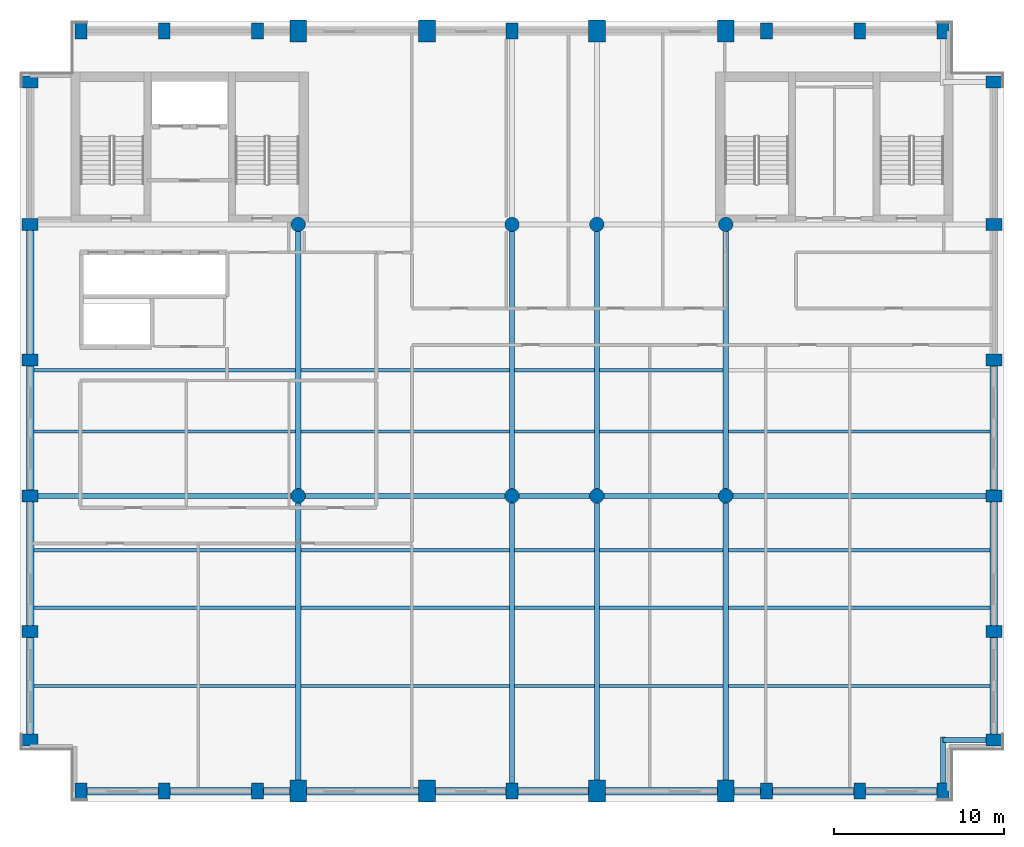
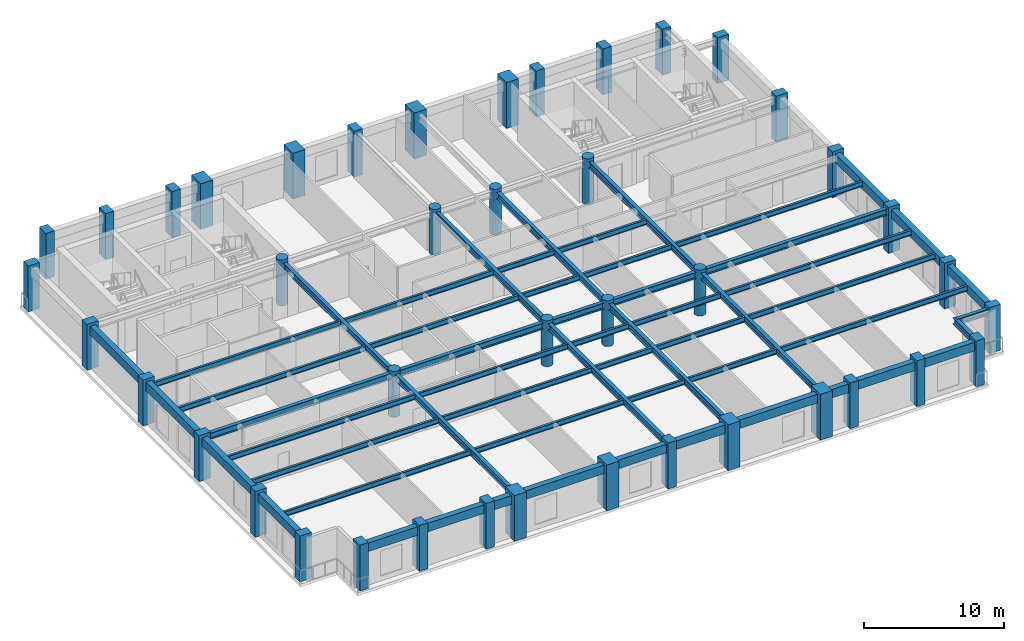
# One storey, part 1 of 9: 56 beams, 42 columns.
"""IFC4 building model written with IfcOpenShell, lengths in metres."""

from ifc_helpers import new_model, si_unit, direction, frame, origin, origin_2d, place, context, subcontext, project, spatial, rectangle, circle, i_section, extrude, material, material_profile, profile_set, type_object, element, save


model = new_model("IFC4")

# Units and contexts
model_context = context("Model", 3, precision=1e-05, world=origin(), true_north=direction((0.0, 1.0)))
body_context = subcontext(model_context, "Body", "Model", "MODEL_VIEW")
ifc_project = project(units=[si_unit("LENGTHUNIT", "METRE"), si_unit("AREAUNIT", "SQUARE_METRE"), si_unit("VOLUMEUNIT", "CUBIC_METRE"), si_unit("PLANEANGLEUNIT", "RADIAN"), si_unit("MASSUNIT", "GRAM", prefix="KILO")], contexts=[model_context])

# Site, building, storey
site_placement = place(None, origin())
site = spatial("IfcSite", under=ifc_project, at=site_placement, CompositionType="ELEMENT")
building_placement = place(site_placement, origin())
building = spatial("IfcBuilding", under=site, at=building_placement, Name="Sulina Concourse Tower", CompositionType="ELEMENT")
storey_placement = place(building_placement, frame((0.0, 0.0, 272.60009765625)))
storey = spatial("IfcBuildingStorey", under=building, at=storey_placement, Name="L66", CompositionType="ELEMENT", Elevation=272.60009765625)

# Columns
ifc_material_1 = material(Name="Precast concrete C50/60", Category="concrete")
ifc_material_profile_1 = material_profile(ifc_material_1, rectangle(XDim=0.699951171875, YDim=0.949951171875, at=origin_2d()), Name="PC 700x950")
ifc_profile_set_1 = profile_set([ifc_material_profile_1], Name="Precast concrete C50/60")
column_type_1 = type_object("IfcColumnType", Name="Precast Tube Pier Zone 5 700x950", PredefinedType="COLUMN", material=ifc_profile_set_1)
for number, where, z_axis, x_axis, name in (
    (1, (3.60009765625, 0.60009765625, 0.0), (0.0, 0.0, 1.0), (1.0, 0.0, 0.0), "L66 structural column TP-S-36"),
    (2, (3.60009765625, 45.39990234375, 0.0), (0.0, 0.0, 1.0), (1.0, 0.0, 0.0), "L66 structural column TP-N-36"),
    (3, (8.5, 0.60009765625, 0.0), (0.0, 0.0, 1.0), (1.0, 0.0, 0.0), "L66 structural column TP-S-85"),
    (4, (8.5, 45.39990234375, 0.0), (0.0, 0.0, 1.0), (1.0, 0.0, 0.0), "L66 structural column TP-N-85"),
    (5, (14.0, 0.60009765625, 0.0), (0.0, 0.0, 1.0), (1.0, 0.0, 0.0), "L66 structural column TP-S-140"),
    (6, (14.0, 45.39990234375, 0.0), (0.0, 0.0, 1.0), (1.0, 0.0, 0.0), "L66 structural column TP-N-140"),
    (7, (29.0, 0.60009765625, 0.0), (0.0, 0.0, 1.0), (1.0, 0.0, 0.0), "L66 structural column TP-S-290"),
    (8, (29.0, 45.39990234375, 0.0), (0.0, 0.0, 1.0), (1.0, 0.0, 0.0), "L66 structural column TP-N-290"),
    (9, (44.0, 0.60009765625, 0.0), (0.0, 0.0, 1.0), (1.0, 0.0, 0.0), "L66 structural column TP-S-440"),
    (10, (44.0, 45.39990234375, 0.0), (0.0, 0.0, 1.0), (1.0, 0.0, 0.0), "L66 structural column TP-N-440"),
    (11, (49.5, 0.60009765625, 0.0), (0.0, 0.0, 1.0), (1.0, 0.0, 0.0), "L66 structural column TP-S-495"),
    (12, (49.5, 45.39990234375, 0.0), (0.0, 0.0, 1.0), (1.0, 0.0, 0.0), "L66 structural column TP-N-495"),
    (13, (54.39990234375, 0.60009765625, 0.0), (0.0, 0.0, 1.0), (1.0, 0.0, 0.0), "L66 structural column TP-S-544"),
    (14, (54.39990234375, 45.39990234375, 0.0), (0.0, 0.0, 1.0), (1.0, 0.0, 0.0), "L66 structural column TP-N-544"),
    (15, (0.60009765625, 3.60009765625, 0.0), (0.0, 0.0, 1.0), (0.0, 1.0, 0.0), "L66 structural column TP-W-36"),
    (16, (57.39990234375, 3.60009765625, 0.0), (0.0, 0.0, 1.0), (0.0, 1.0, 0.0), "L66 structural column TP-E-36"),
    (17, (0.60009765625, 10.0, 0.0), (0.0, 0.0, 1.0), (0.0, 1.0, 0.0), "L66 structural column TP-W-100"),
    (18, (57.39990234375, 10.0, 0.0), (0.0, 0.0, 1.0), (0.0, 1.0, 0.0), "L66 structural column TP-E-100"),
    (19, (0.60009765625, 18.0, 0.0), (0.0, 0.0, 1.0), (0.0, 1.0, 0.0), "L66 structural column TP-W-180"),
    (20, (57.39990234375, 18.0, 0.0), (0.0, 0.0, 1.0), (0.0, 1.0, 0.0), "L66 structural column TP-E-180"),
    (21, (0.60009765625, 26.0, 0.0), (0.0, 0.0, 1.0), (0.0, 1.0, 0.0), "L66 structural column TP-W-260"),
    (22, (57.39990234375, 26.0, 0.0), (0.0, 0.0, 1.0), (0.0, 1.0, 0.0), "L66 structural column TP-E-260"),
    (23, (0.60009765625, 34.0, 0.0), (0.0, 0.0, 1.0), (0.0, 1.0, 0.0), "L66 structural column TP-W-340"),
    (24, (57.39990234375, 34.0, 0.0), (0.0, 0.0, 1.0), (0.0, 1.0, 0.0), "L66 structural column TP-E-340"),
    (25, (0.60009765625, 42.39990234375, 0.0), (0.0, 0.0, 1.0), (0.0, 1.0, 0.0), "L66 structural column TP-W-424"),
    (26, (57.39990234375, 42.39990234375, 0.0), (0.0, 0.0, 1.0), (0.0, 1.0, 0.0), "L66 structural column TP-E-424"),
):
    element("IfcColumn", number, at=place(storey_placement, frame(where, z_axis=z_axis, x_axis=x_axis)), inside=storey, type_object=column_type_1, Name=name, PredefinedType="COLUMN", context=body_context, shape_type="SweptSolid", body=[
        extrude(rectangle(XDim=0.699951171875, YDim=0.949951171875, at=origin_2d()), origin(), (0.0, 0.0, 1.0), 4.0),
    ])
ifc_material_2 = material(Name="Concrete C50/60", Category="concrete")
ifc_material_profile_2 = material_profile(ifc_material_2, circle(Radius=0.425048828125, at=origin_2d()), Name="RC D850")
ifc_profile_set_2 = profile_set([ifc_material_profile_2], Name="Concrete C50/60")
column_type_2 = type_object("IfcColumnType", Name="Upper Interior Circular Column D850", PredefinedType="COLUMN", material=ifc_profile_set_2)
for number, where, z_axis, x_axis, name in (
    (27, (16.39990234375, 18.0, 0.0), (0.0, 0.0, 1.0), (1.0, 0.0, 0.0), "L66 structural column IC-M-164"),
    (28, (16.39990234375, 34.0, 0.0), (0.0, 0.0, 1.0), (1.0, 0.0, 0.0), "L66 structural column IC-N-164"),
    (29, (29.0, 18.0, 0.0), (0.0, 0.0, 1.0), (1.0, 0.0, 0.0), "L66 structural column IC-M-290"),
    (30, (29.0, 34.0, 0.0), (0.0, 0.0, 1.0), (1.0, 0.0, 0.0), "L66 structural column IC-N-290"),
    (31, (41.60009765625, 18.0, 0.0), (0.0, 0.0, 1.0), (1.0, 0.0, 0.0), "L66 structural column IC-M-416"),
    (32, (41.60009765625, 34.0, 0.0), (0.0, 0.0, 1.0), (1.0, 0.0, 0.0), "L66 structural column IC-N-416"),
    (33, (34.0, 18.0, 0.0), (0.0, 0.0, 1.0), (1.0, 0.0, 0.0), "L66 structural column IC-M-340"),
    (34, (34.0, 34.0, 0.0), (0.0, 0.0, 1.0), (1.0, 0.0, 0.0), "L66 structural column IC-N-340"),
):
    element("IfcColumn", number, at=place(storey_placement, frame(where, z_axis=z_axis, x_axis=x_axis)), inside=storey, type_object=column_type_2, Name=name, PredefinedType="COLUMN", context=body_context, shape_type="SweptSolid", body=[
        extrude(circle(Radius=0.425048828125, at=origin_2d()), origin(), (0.0, 0.0, 1.0), 4.0),
    ])
ifc_material_3 = material(Name="Concrete C60/75", Category="concrete")
ifc_material_profile_3 = material_profile(ifc_material_3, rectangle(XDim=1.0, YDim=1.300048828125, at=origin_2d()), Name="RC 1000x1300")
ifc_profile_set_3 = profile_set([ifc_material_profile_3], Name="Concrete C60/75")
column_type_3 = type_object("IfcColumnType", Name="Upper Portal Column 1000x1300", PredefinedType="COLUMN", material=ifc_profile_set_3)
for number, where, z_axis, x_axis, name in (
    (35, (16.39990234375, 0.60009765625, 0.0), (0.0, 0.0, 1.0), (1.0, 0.0, 0.0), "L66 structural column TP-S-164"),
    (36, (16.39990234375, 45.39990234375, 0.0), (0.0, 0.0, 1.0), (1.0, 0.0, 0.0), "L66 structural column TP-N-164"),
    (37, (24.0, 0.60009765625, 0.0), (0.0, 0.0, 1.0), (1.0, 0.0, 0.0), "L66 structural column TP-S-240"),
    (38, (24.0, 45.39990234375, 0.0), (0.0, 0.0, 1.0), (1.0, 0.0, 0.0), "L66 structural column TP-N-240"),
    (39, (34.0, 0.60009765625, 0.0), (0.0, 0.0, 1.0), (1.0, 0.0, 0.0), "L66 structural column TP-S-340"),
    (40, (34.0, 45.39990234375, 0.0), (0.0, 0.0, 1.0), (1.0, 0.0, 0.0), "L66 structural column TP-N-340"),
    (41, (41.60009765625, 0.60009765625, 0.0), (0.0, 0.0, 1.0), (1.0, 0.0, 0.0), "L66 structural column TP-S-416"),
    (42, (41.60009765625, 45.39990234375, 0.0), (0.0, 0.0, 1.0), (1.0, 0.0, 0.0), "L66 structural column TP-N-416"),
):
    element("IfcColumn", number, at=place(storey_placement, frame(where, z_axis=z_axis, x_axis=x_axis)), inside=storey, type_object=column_type_3, Name=name, PredefinedType="COLUMN", context=body_context, shape_type="SweptSolid", body=[
        extrude(rectangle(XDim=1.0, YDim=1.300048828125, at=origin_2d()), origin(), (0.0, 0.0, 1.0), 4.0),
    ])

# Beams
ifc_material_4 = material(Name="Steel S355", Category="steel")
ifc_material_profile_4 = material_profile(ifc_material_4, i_section(OverallWidth=0.18994140625, OverallDepth=0.449951171875, WebThickness=0.009521484375, FlangeThickness=0.0146484375, at=origin_2d()), Name="IPE 450")
ifc_profile_set_4 = profile_set([ifc_material_profile_4], Name="Steel S355")
beam_type_1 = type_object("IfcBeamType", Name="Composite Floor Joist IPE450", PredefinedType="JOIST", material=ifc_profile_set_4)
beam_1_placement = place(storey_placement, frame((0.824951171875, 6.800048828125, 3.52490234375), z_axis=(1.0, 0.0, 0.0), x_axis=(0.0, 1.0, 0.0)))
element("IfcBeam", 43, at=beam_1_placement, inside=storey, type_object=beam_type_1, Name="FJ-J06-1-L66", PredefinedType="JOIST", context=body_context, shape_type="SweptSolid", body=[
    extrude(i_section(OverallWidth=0.18994140625, OverallDepth=0.449951171875, WebThickness=0.009521484375, FlangeThickness=0.0146484375, at=origin_2d()), origin(), (0.0, 0.0, 1.0), 15.425048828125),
])
beam_2_placement = place(storey_placement, frame((16.550048828125, 6.800048828125, 3.52490234375), z_axis=(1.0, 0.0, 0.0), x_axis=(0.0, 1.0, 0.0)))
element("IfcBeam", 44, at=beam_2_placement, inside=storey, type_object=beam_type_1, Name="FJ-J06-2-L66", PredefinedType="JOIST", context=body_context, shape_type="SweptSolid", body=[
    extrude(i_section(OverallWidth=0.18994140625, OverallDepth=0.449951171875, WebThickness=0.009521484375, FlangeThickness=0.0146484375, at=origin_2d()), origin(), (0.0, 0.0, 1.0), 12.300048828125),
])
beam_3_placement = place(storey_placement, frame((29.14990234375, 6.800048828125, 3.52490234375), z_axis=(1.0, 0.0, 0.0), x_axis=(0.0, 1.0, 0.0)))
element("IfcBeam", 45, at=beam_3_placement, inside=storey, type_object=beam_type_1, Name="FJ-J06-3-L66", PredefinedType="JOIST", context=body_context, shape_type="SweptSolid", body=[
    extrude(i_section(OverallWidth=0.18994140625, OverallDepth=0.449951171875, WebThickness=0.009521484375, FlangeThickness=0.0146484375, at=origin_2d()), origin(), (0.0, 0.0, 1.0), 4.7001953125),
])
beam_4_placement = place(storey_placement, frame((34.14990234375, 6.800048828125, 3.52490234375), z_axis=(1.0, 0.0, 0.0), x_axis=(0.0, 1.0, 0.0)))
element("IfcBeam", 46, at=beam_4_placement, inside=storey, type_object=beam_type_1, Name="FJ-J06-4-L66", PredefinedType="JOIST", context=body_context, shape_type="SweptSolid", body=[
    extrude(i_section(OverallWidth=0.18994140625, OverallDepth=0.449951171875, WebThickness=0.009521484375, FlangeThickness=0.0146484375, at=origin_2d()), origin(), (0.0, 0.0, 1.0), 7.300048828125),
])
for number, where, z_axis, x_axis, name in (
    (47, (41.75, 6.800048828125, 3.52490234375), (1.0, 0.0, 0.0), (0.0, 1.0, 0.0), "FJ-J06-5-L66"),
    (48, (0.824951171875, 11.39990234375, 3.52490234375), (1.0, 0.0, 0.0), (0.0, 1.0, 0.0), "FJ-J11-1-L66"),
):
    element("IfcBeam", number, at=place(storey_placement, frame(where, z_axis=z_axis, x_axis=x_axis)), inside=storey, type_object=beam_type_1, Name=name, PredefinedType="JOIST", context=body_context, shape_type="SweptSolid", body=[
        extrude(i_section(OverallWidth=0.18994140625, OverallDepth=0.449951171875, WebThickness=0.009521484375, FlangeThickness=0.0146484375, at=origin_2d()), origin(), (0.0, 0.0, 1.0), 15.425048828125),
    ])
beam_5_placement = place(storey_placement, frame((16.550048828125, 11.39990234375, 3.52490234375), z_axis=(1.0, 0.0, 0.0), x_axis=(0.0, 1.0, 0.0)))
element("IfcBeam", 49, at=beam_5_placement, inside=storey, type_object=beam_type_1, Name="FJ-J11-2-L66", PredefinedType="JOIST", context=body_context, shape_type="SweptSolid", body=[
    extrude(i_section(OverallWidth=0.18994140625, OverallDepth=0.449951171875, WebThickness=0.009521484375, FlangeThickness=0.0146484375, at=origin_2d()), origin(), (0.0, 0.0, 1.0), 12.300048828125),
])
beam_6_placement = place(storey_placement, frame((29.14990234375, 11.39990234375, 3.52490234375), z_axis=(1.0, 0.0, 0.0), x_axis=(0.0, 1.0, 0.0)))
element("IfcBeam", 50, at=beam_6_placement, inside=storey, type_object=beam_type_1, Name="FJ-J11-3-L66", PredefinedType="JOIST", context=body_context, shape_type="SweptSolid", body=[
    extrude(i_section(OverallWidth=0.18994140625, OverallDepth=0.449951171875, WebThickness=0.009521484375, FlangeThickness=0.0146484375, at=origin_2d()), origin(), (0.0, 0.0, 1.0), 4.7001953125),
])
beam_7_placement = place(storey_placement, frame((34.14990234375, 11.39990234375, 3.52490234375), z_axis=(1.0, 0.0, 0.0), x_axis=(0.0, 1.0, 0.0)))
element("IfcBeam", 51, at=beam_7_placement, inside=storey, type_object=beam_type_1, Name="FJ-J11-4-L66", PredefinedType="JOIST", context=body_context, shape_type="SweptSolid", body=[
    extrude(i_section(OverallWidth=0.18994140625, OverallDepth=0.449951171875, WebThickness=0.009521484375, FlangeThickness=0.0146484375, at=origin_2d()), origin(), (0.0, 0.0, 1.0), 7.300048828125),
])
for number, where, z_axis, x_axis, name in (
    (52, (41.75, 11.39990234375, 3.52490234375), (1.0, 0.0, 0.0), (0.0, 1.0, 0.0), "FJ-J11-5-L66"),
    (53, (0.824951171875, 14.800048828125, 3.52490234375), (1.0, 0.0, 0.0), (0.0, 1.0, 0.0), "FJ-J15-1-L66"),
):
    element("IfcBeam", number, at=place(storey_placement, frame(where, z_axis=z_axis, x_axis=x_axis)), inside=storey, type_object=beam_type_1, Name=name, PredefinedType="JOIST", context=body_context, shape_type="SweptSolid", body=[
        extrude(i_section(OverallWidth=0.18994140625, OverallDepth=0.449951171875, WebThickness=0.009521484375, FlangeThickness=0.0146484375, at=origin_2d()), origin(), (0.0, 0.0, 1.0), 15.425048828125),
    ])
beam_8_placement = place(storey_placement, frame((16.550048828125, 14.800048828125, 3.52490234375), z_axis=(1.0, 0.0, 0.0), x_axis=(0.0, 1.0, 0.0)))
element("IfcBeam", 54, at=beam_8_placement, inside=storey, type_object=beam_type_1, Name="FJ-J15-2-L66", PredefinedType="JOIST", context=body_context, shape_type="SweptSolid", body=[
    extrude(i_section(OverallWidth=0.18994140625, OverallDepth=0.449951171875, WebThickness=0.009521484375, FlangeThickness=0.0146484375, at=origin_2d()), origin(), (0.0, 0.0, 1.0), 12.300048828125),
])
beam_9_placement = place(storey_placement, frame((29.14990234375, 14.800048828125, 3.52490234375), z_axis=(1.0, 0.0, 0.0), x_axis=(0.0, 1.0, 0.0)))
element("IfcBeam", 55, at=beam_9_placement, inside=storey, type_object=beam_type_1, Name="FJ-J15-3-L66", PredefinedType="JOIST", context=body_context, shape_type="SweptSolid", body=[
    extrude(i_section(OverallWidth=0.18994140625, OverallDepth=0.449951171875, WebThickness=0.009521484375, FlangeThickness=0.0146484375, at=origin_2d()), origin(), (0.0, 0.0, 1.0), 4.7001953125),
])
beam_10_placement = place(storey_placement, frame((34.14990234375, 14.800048828125, 3.52490234375), z_axis=(1.0, 0.0, 0.0), x_axis=(0.0, 1.0, 0.0)))
element("IfcBeam", 56, at=beam_10_placement, inside=storey, type_object=beam_type_1, Name="FJ-J15-4-L66", PredefinedType="JOIST", context=body_context, shape_type="SweptSolid", body=[
    extrude(i_section(OverallWidth=0.18994140625, OverallDepth=0.449951171875, WebThickness=0.009521484375, FlangeThickness=0.0146484375, at=origin_2d()), origin(), (0.0, 0.0, 1.0), 7.300048828125),
])
for number, where, z_axis, x_axis, name in (
    (57, (41.75, 14.800048828125, 3.52490234375), (1.0, 0.0, 0.0), (0.0, 1.0, 0.0), "FJ-J15-5-L66"),
    (58, (0.824951171875, 21.800048828125, 3.52490234375), (1.0, 0.0, 0.0), (0.0, 1.0, 0.0), "FJ-J22-1-L66"),
):
    element("IfcBeam", number, at=place(storey_placement, frame(where, z_axis=z_axis, x_axis=x_axis)), inside=storey, type_object=beam_type_1, Name=name, PredefinedType="JOIST", context=body_context, shape_type="SweptSolid", body=[
        extrude(i_section(OverallWidth=0.18994140625, OverallDepth=0.449951171875, WebThickness=0.009521484375, FlangeThickness=0.0146484375, at=origin_2d()), origin(), (0.0, 0.0, 1.0), 15.425048828125),
    ])
beam_11_placement = place(storey_placement, frame((16.550048828125, 21.800048828125, 3.52490234375), z_axis=(1.0, 0.0, 0.0), x_axis=(0.0, 1.0, 0.0)))
element("IfcBeam", 59, at=beam_11_placement, inside=storey, type_object=beam_type_1, Name="FJ-J22-2-L66", PredefinedType="JOIST", context=body_context, shape_type="SweptSolid", body=[
    extrude(i_section(OverallWidth=0.18994140625, OverallDepth=0.449951171875, WebThickness=0.009521484375, FlangeThickness=0.0146484375, at=origin_2d()), origin(), (0.0, 0.0, 1.0), 12.300048828125),
])
beam_12_placement = place(storey_placement, frame((29.14990234375, 21.800048828125, 3.52490234375), z_axis=(1.0, 0.0, 0.0), x_axis=(0.0, 1.0, 0.0)))
element("IfcBeam", 60, at=beam_12_placement, inside=storey, type_object=beam_type_1, Name="FJ-J22-3-L66", PredefinedType="JOIST", context=body_context, shape_type="SweptSolid", body=[
    extrude(i_section(OverallWidth=0.18994140625, OverallDepth=0.449951171875, WebThickness=0.009521484375, FlangeThickness=0.0146484375, at=origin_2d()), origin(), (0.0, 0.0, 1.0), 4.7001953125),
])
beam_13_placement = place(storey_placement, frame((34.14990234375, 21.800048828125, 3.52490234375), z_axis=(1.0, 0.0, 0.0), x_axis=(0.0, 1.0, 0.0)))
element("IfcBeam", 61, at=beam_13_placement, inside=storey, type_object=beam_type_1, Name="FJ-J22-4-L66", PredefinedType="JOIST", context=body_context, shape_type="SweptSolid", body=[
    extrude(i_section(OverallWidth=0.18994140625, OverallDepth=0.449951171875, WebThickness=0.009521484375, FlangeThickness=0.0146484375, at=origin_2d()), origin(), (0.0, 0.0, 1.0), 7.300048828125),
])
for number, where, z_axis, x_axis, name in (
    (62, (41.75, 21.800048828125, 3.52490234375), (1.0, 0.0, 0.0), (0.0, 1.0, 0.0), "FJ-J22-5-L66"),
    (63, (0.824951171875, 25.39990234375, 3.52490234375), (1.0, 0.0, 0.0), (0.0, 1.0, 0.0), "FJ-J25-1-L66"),
):
    element("IfcBeam", number, at=place(storey_placement, frame(where, z_axis=z_axis, x_axis=x_axis)), inside=storey, type_object=beam_type_1, Name=name, PredefinedType="JOIST", context=body_context, shape_type="SweptSolid", body=[
        extrude(i_section(OverallWidth=0.18994140625, OverallDepth=0.449951171875, WebThickness=0.009521484375, FlangeThickness=0.0146484375, at=origin_2d()), origin(), (0.0, 0.0, 1.0), 15.425048828125),
    ])
beam_14_placement = place(storey_placement, frame((16.550048828125, 25.39990234375, 3.52490234375), z_axis=(1.0, 0.0, 0.0), x_axis=(0.0, 1.0, 0.0)))
element("IfcBeam", 64, at=beam_14_placement, inside=storey, type_object=beam_type_1, Name="FJ-J25-2-L66", PredefinedType="JOIST", context=body_context, shape_type="SweptSolid", body=[
    extrude(i_section(OverallWidth=0.18994140625, OverallDepth=0.449951171875, WebThickness=0.009521484375, FlangeThickness=0.0146484375, at=origin_2d()), origin(), (0.0, 0.0, 1.0), 12.300048828125),
])
beam_15_placement = place(storey_placement, frame((29.14990234375, 25.39990234375, 3.52490234375), z_axis=(1.0, 0.0, 0.0), x_axis=(0.0, 1.0, 0.0)))
element("IfcBeam", 65, at=beam_15_placement, inside=storey, type_object=beam_type_1, Name="FJ-J25-3-L66", PredefinedType="JOIST", context=body_context, shape_type="SweptSolid", body=[
    extrude(i_section(OverallWidth=0.18994140625, OverallDepth=0.449951171875, WebThickness=0.009521484375, FlangeThickness=0.0146484375, at=origin_2d()), origin(), (0.0, 0.0, 1.0), 4.7001953125),
])
beam_16_placement = place(storey_placement, frame((34.14990234375, 25.39990234375, 3.52490234375), z_axis=(1.0, 0.0, 0.0), x_axis=(0.0, 1.0, 0.0)))
element("IfcBeam", 66, at=beam_16_placement, inside=storey, type_object=beam_type_1, Name="FJ-J25-4-L66", PredefinedType="JOIST", context=body_context, shape_type="SweptSolid", body=[
    extrude(i_section(OverallWidth=0.18994140625, OverallDepth=0.449951171875, WebThickness=0.009521484375, FlangeThickness=0.0146484375, at=origin_2d()), origin(), (0.0, 0.0, 1.0), 7.300048828125),
])
ifc_material_5 = material(Name="Steel S355", Category="steel")
ifc_material_profile_5 = material_profile(ifc_material_5, i_section(OverallWidth=0.300048828125, OverallDepth=0.550048828125, WebThickness=0.014892578125, FlangeThickness=0.029052734375, at=origin_2d()), Name="HE 550 B")
ifc_profile_set_5 = profile_set([ifc_material_profile_5], Name="Steel S355")
beam_type_2 = type_object("IfcBeamType", Name="Floor Primary Girder Zone 4 HE550B", PredefinedType="BEAM", material=ifc_profile_set_5)
beam_17_placement = place(storey_placement, frame((54.39990234375, 3.60009765625, 3.474853515625), z_axis=(1.0, 0.0, 0.0), x_axis=(0.0, 1.0, 0.0)))
element("IfcBeam", 67, at=beam_17_placement, inside=storey, type_object=beam_type_2, Name="TIE-SE-L66", PredefinedType="BEAM", context=body_context, shape_type="SweptSolid", body=[
    extrude(i_section(OverallWidth=0.300048828125, OverallDepth=0.550048828125, WebThickness=0.014892578125, FlangeThickness=0.029052734375, at=origin_2d()), origin(), (0.0, 0.0, 1.0), 2.670166015625),
])
beam_18_placement = place(storey_placement, frame((54.39990234375, 0.929931640625, 3.474853515625), z_axis=(0.0, 1.0, 0.0), x_axis=(-1.0, 0.0, 0.0)))
element("IfcBeam", 68, at=beam_18_placement, inside=storey, type_object=beam_type_2, Name="TIE-SES-L66", PredefinedType="BEAM", context=body_context, shape_type="SweptSolid", body=[
    extrude(i_section(OverallWidth=0.300048828125, OverallDepth=0.550048828125, WebThickness=0.014892578125, FlangeThickness=0.029052734375, at=origin_2d()), origin(), (0.0, 0.0, 1.0), 2.8701171875),
])
beam_19_placement = place(storey_placement, frame((0.929931640625, 18.0, 3.474853515625), z_axis=(1.0, 0.0, 0.0), x_axis=(0.0, 1.0, 0.0)))
element("IfcBeam", 69, at=beam_19_placement, inside=storey, type_object=beam_type_2, Name="FG-EW1-L66", PredefinedType="BEAM", context=body_context, shape_type="SweptSolid", body=[
    extrude(i_section(OverallWidth=0.300048828125, OverallDepth=0.550048828125, WebThickness=0.014892578125, FlangeThickness=0.029052734375, at=origin_2d()), origin(), (0.0, 0.0, 1.0), 15.065185546875),
])
beam_20_placement = place(storey_placement, frame((16.804931640625, 18.0, 3.474853515625), z_axis=(1.0, 0.0, 0.0), x_axis=(0.0, 1.0, 0.0)))
element("IfcBeam", 70, at=beam_20_placement, inside=storey, type_object=beam_type_2, Name="FG-EW2-L66", PredefinedType="BEAM", context=body_context, shape_type="SweptSolid", body=[
    extrude(i_section(OverallWidth=0.300048828125, OverallDepth=0.550048828125, WebThickness=0.014892578125, FlangeThickness=0.029052734375, at=origin_2d()), origin(), (0.0, 0.0, 1.0), 11.7900390625),
])
beam_21_placement = place(storey_placement, frame((29.405029296875, 18.0, 3.474853515625), z_axis=(1.0, 0.0, 0.0), x_axis=(0.0, 1.0, 0.0)))
element("IfcBeam", 71, at=beam_21_placement, inside=storey, type_object=beam_type_2, Name="FG-EW3-L66", PredefinedType="BEAM", context=body_context, shape_type="SweptSolid", body=[
    extrude(i_section(OverallWidth=0.300048828125, OverallDepth=0.550048828125, WebThickness=0.014892578125, FlangeThickness=0.029052734375, at=origin_2d()), origin(), (0.0, 0.0, 1.0), 4.18994140625),
])
beam_22_placement = place(storey_placement, frame((34.405029296875, 18.0, 3.474853515625), z_axis=(1.0, 0.0, 0.0), x_axis=(0.0, 1.0, 0.0)))
element("IfcBeam", 72, at=beam_22_placement, inside=storey, type_object=beam_type_2, Name="FG-EW4-L66", PredefinedType="BEAM", context=body_context, shape_type="SweptSolid", body=[
    extrude(i_section(OverallWidth=0.300048828125, OverallDepth=0.550048828125, WebThickness=0.014892578125, FlangeThickness=0.029052734375, at=origin_2d()), origin(), (0.0, 0.0, 1.0), 6.7900390625),
])
beam_23_placement = place(storey_placement, frame((42.0048828125, 18.0, 3.474853515625), z_axis=(1.0, 0.0, 0.0), x_axis=(0.0, 1.0, 0.0)))
element("IfcBeam", 73, at=beam_23_placement, inside=storey, type_object=beam_type_2, Name="FG-EW5-L66", PredefinedType="BEAM", context=body_context, shape_type="SweptSolid", body=[
    extrude(i_section(OverallWidth=0.300048828125, OverallDepth=0.550048828125, WebThickness=0.014892578125, FlangeThickness=0.029052734375, at=origin_2d()), origin(), (0.0, 0.0, 1.0), 15.065185546875),
])
beam_24_placement = place(storey_placement, frame((16.39990234375, 1.080078125, 3.474853515625), z_axis=(0.0, 1.0, 0.0), x_axis=(-1.0, 0.0, 0.0)))
element("IfcBeam", 74, at=beam_24_placement, inside=storey, type_object=beam_type_2, Name="FG-NSA-16-L66", PredefinedType="BEAM", context=body_context, shape_type="SweptSolid", body=[
    extrude(i_section(OverallWidth=0.300048828125, OverallDepth=0.550048828125, WebThickness=0.014892578125, FlangeThickness=0.029052734375, at=origin_2d()), origin(), (0.0, 0.0, 1.0), 16.514892578125),
])
beam_25_placement = place(storey_placement, frame((16.39990234375, 18.405029296875, 3.474853515625), z_axis=(0.0, 1.0, 0.0), x_axis=(-1.0, 0.0, 0.0)))
element("IfcBeam", 75, at=beam_25_placement, inside=storey, type_object=beam_type_2, Name="FG-NSB-16-L66", PredefinedType="BEAM", context=body_context, shape_type="SweptSolid", body=[
    extrude(i_section(OverallWidth=0.300048828125, OverallDepth=0.550048828125, WebThickness=0.014892578125, FlangeThickness=0.029052734375, at=origin_2d()), origin(), (0.0, 0.0, 1.0), 15.18994140625),
])
beam_26_placement = place(storey_placement, frame((29.0, 0.929931640625, 3.474853515625), z_axis=(0.0, 1.0, 0.0), x_axis=(-1.0, 0.0, 0.0)))
element("IfcBeam", 76, at=beam_26_placement, inside=storey, type_object=beam_type_2, Name="FG-NSA-29-L66", PredefinedType="BEAM", context=body_context, shape_type="SweptSolid", body=[
    extrude(i_section(OverallWidth=0.300048828125, OverallDepth=0.550048828125, WebThickness=0.014892578125, FlangeThickness=0.029052734375, at=origin_2d()), origin(), (0.0, 0.0, 1.0), 16.6650390625),
])
beam_27_placement = place(storey_placement, frame((29.0, 18.405029296875, 3.474853515625), z_axis=(0.0, 1.0, 0.0), x_axis=(-1.0, 0.0, 0.0)))
element("IfcBeam", 77, at=beam_27_placement, inside=storey, type_object=beam_type_2, Name="FG-NSB-29-L66", PredefinedType="BEAM", context=body_context, shape_type="SweptSolid", body=[
    extrude(i_section(OverallWidth=0.300048828125, OverallDepth=0.550048828125, WebThickness=0.014892578125, FlangeThickness=0.029052734375, at=origin_2d()), origin(), (0.0, 0.0, 1.0), 15.18994140625),
])
beam_28_placement = place(storey_placement, frame((34.0, 1.080078125, 3.474853515625), z_axis=(0.0, 1.0, 0.0), x_axis=(-1.0, 0.0, 0.0)))
element("IfcBeam", 78, at=beam_28_placement, inside=storey, type_object=beam_type_2, Name="FG-NSA-34-L66", PredefinedType="BEAM", context=body_context, shape_type="SweptSolid", body=[
    extrude(i_section(OverallWidth=0.300048828125, OverallDepth=0.550048828125, WebThickness=0.014892578125, FlangeThickness=0.029052734375, at=origin_2d()), origin(), (0.0, 0.0, 1.0), 16.514892578125),
])
beam_29_placement = place(storey_placement, frame((34.0, 18.405029296875, 3.474853515625), z_axis=(0.0, 1.0, 0.0), x_axis=(-1.0, 0.0, 0.0)))
element("IfcBeam", 79, at=beam_29_placement, inside=storey, type_object=beam_type_2, Name="FG-NSB-34-L66", PredefinedType="BEAM", context=body_context, shape_type="SweptSolid", body=[
    extrude(i_section(OverallWidth=0.300048828125, OverallDepth=0.550048828125, WebThickness=0.014892578125, FlangeThickness=0.029052734375, at=origin_2d()), origin(), (0.0, 0.0, 1.0), 15.18994140625),
])
beam_30_placement = place(storey_placement, frame((41.60009765625, 1.080078125, 3.474853515625), z_axis=(0.0, 1.0, 0.0), x_axis=(-1.0, 0.0, 0.0)))
element("IfcBeam", 80, at=beam_30_placement, inside=storey, type_object=beam_type_2, Name="FG-NSA-41-L66", PredefinedType="BEAM", context=body_context, shape_type="SweptSolid", body=[
    extrude(i_section(OverallWidth=0.300048828125, OverallDepth=0.550048828125, WebThickness=0.014892578125, FlangeThickness=0.029052734375, at=origin_2d()), origin(), (0.0, 0.0, 1.0), 16.514892578125),
])
beam_31_placement = place(storey_placement, frame((41.60009765625, 18.405029296875, 3.474853515625), z_axis=(0.0, 1.0, 0.0), x_axis=(-1.0, 0.0, 0.0)))
element("IfcBeam", 81, at=beam_31_placement, inside=storey, type_object=beam_type_2, Name="FG-NSB-41-L66", PredefinedType="BEAM", context=body_context, shape_type="SweptSolid", body=[
    extrude(i_section(OverallWidth=0.300048828125, OverallDepth=0.550048828125, WebThickness=0.014892578125, FlangeThickness=0.029052734375, at=origin_2d()), origin(), (0.0, 0.0, 1.0), 15.18994140625),
])
ifc_material_6 = material(Name="Precast concrete C50/60", Category="concrete")
ifc_material_profile_6 = material_profile(ifc_material_6, rectangle(XDim=0.449951171875, YDim=0.75, at=origin_2d()), Name="RC 450x750")
ifc_profile_set_6 = profile_set([ifc_material_profile_6], Name="Precast concrete C50/60")
beam_type_3 = type_object("IfcBeamType", Name="Upper Precast Spandrel Edge Beam 450x750", PredefinedType="BEAM", material=ifc_profile_set_6)
beam_32_placement = place(storey_placement, frame((3.929931640625, 0.60009765625, 3.375), z_axis=(1.0, 0.0, 0.0), x_axis=(0.0, 1.0, 0.0)))
element("IfcBeam", 82, at=beam_32_placement, inside=storey, type_object=beam_type_3, Name="SP-S1-L66", PredefinedType="BEAM", context=body_context, shape_type="SweptSolid", body=[
    extrude(rectangle(XDim=0.449951171875, YDim=0.75, at=origin_2d()), origin(), (0.0, 0.0, 1.0), 4.239990234375),
])
beam_33_placement = place(storey_placement, frame((8.830078125, 0.60009765625, 3.375), z_axis=(1.0, 0.0, 0.0), x_axis=(0.0, 1.0, 0.0)))
element("IfcBeam", 83, at=beam_33_placement, inside=storey, type_object=beam_type_3, Name="SP-S2-L66", PredefinedType="BEAM", context=body_context, shape_type="SweptSolid", body=[
    extrude(rectangle(XDim=0.449951171875, YDim=0.75, at=origin_2d()), origin(), (0.0, 0.0, 1.0), 4.83984375),
])
beam_34_placement = place(storey_placement, frame((14.330078125, 0.60009765625, 3.375), z_axis=(1.0, 0.0, 0.0), x_axis=(0.0, 1.0, 0.0)))
element("IfcBeam", 84, at=beam_34_placement, inside=storey, type_object=beam_type_3, Name="SP-S3-L66", PredefinedType="BEAM", context=body_context, shape_type="SweptSolid", body=[
    extrude(rectangle(XDim=0.449951171875, YDim=0.75, at=origin_2d()), origin(), (0.0, 0.0, 1.0), 1.58984375),
])
beam_35_placement = place(storey_placement, frame((16.8798828125, 0.60009765625, 3.375), z_axis=(1.0, 0.0, 0.0), x_axis=(0.0, 1.0, 0.0)))
element("IfcBeam", 85, at=beam_35_placement, inside=storey, type_object=beam_type_3, Name="SP-S4-L66", PredefinedType="BEAM", context=body_context, shape_type="SweptSolid", body=[
    extrude(rectangle(XDim=0.449951171875, YDim=0.75, at=origin_2d()), origin(), (0.0, 0.0, 1.0), 6.64013671875),
])
for number, where, z_axis, x_axis, name in (
    (86, (24.47998046875, 0.60009765625, 3.375), (1.0, 0.0, 0.0), (0.0, 1.0, 0.0), "SP-S5-L66"),
    (87, (29.330078125, 0.60009765625, 3.375), (1.0, 0.0, 0.0), (0.0, 1.0, 0.0), "SP-S6-L66"),
):
    element("IfcBeam", number, at=place(storey_placement, frame(where, z_axis=z_axis, x_axis=x_axis)), inside=storey, type_object=beam_type_3, Name=name, PredefinedType="BEAM", context=body_context, shape_type="SweptSolid", body=[
        extrude(rectangle(XDim=0.449951171875, YDim=0.75, at=origin_2d()), origin(), (0.0, 0.0, 1.0), 4.18994140625),
    ])
beam_36_placement = place(storey_placement, frame((34.47998046875, 0.60009765625, 3.375), z_axis=(1.0, 0.0, 0.0), x_axis=(0.0, 1.0, 0.0)))
element("IfcBeam", 88, at=beam_36_placement, inside=storey, type_object=beam_type_3, Name="SP-S7-L66", PredefinedType="BEAM", context=body_context, shape_type="SweptSolid", body=[
    extrude(rectangle(XDim=0.449951171875, YDim=0.75, at=origin_2d()), origin(), (0.0, 0.0, 1.0), 6.64013671875),
])
beam_37_placement = place(storey_placement, frame((42.080078125, 0.60009765625, 3.375), z_axis=(1.0, 0.0, 0.0), x_axis=(0.0, 1.0, 0.0)))
element("IfcBeam", 89, at=beam_37_placement, inside=storey, type_object=beam_type_3, Name="SP-S8-L66", PredefinedType="BEAM", context=body_context, shape_type="SweptSolid", body=[
    extrude(rectangle(XDim=0.449951171875, YDim=0.75, at=origin_2d()), origin(), (0.0, 0.0, 1.0), 1.58984375),
])
beam_38_placement = place(storey_placement, frame((44.330078125, 0.60009765625, 3.375), z_axis=(1.0, 0.0, 0.0), x_axis=(0.0, 1.0, 0.0)))
element("IfcBeam", 90, at=beam_38_placement, inside=storey, type_object=beam_type_3, Name="SP-S9-L66", PredefinedType="BEAM", context=body_context, shape_type="SweptSolid", body=[
    extrude(rectangle(XDim=0.449951171875, YDim=0.75, at=origin_2d()), origin(), (0.0, 0.0, 1.0), 4.83984375),
])
beam_39_placement = place(storey_placement, frame((49.830078125, 0.60009765625, 3.375), z_axis=(1.0, 0.0, 0.0), x_axis=(0.0, 1.0, 0.0)))
element("IfcBeam", 91, at=beam_39_placement, inside=storey, type_object=beam_type_3, Name="SP-S10-L66", PredefinedType="BEAM", context=body_context, shape_type="SweptSolid", body=[
    extrude(rectangle(XDim=0.449951171875, YDim=0.75, at=origin_2d()), origin(), (0.0, 0.0, 1.0), 4.239990234375),
])
beam_40_placement = place(storey_placement, frame((0.60009765625, 3.929931640625, 3.375), z_axis=(0.0, 1.0, 0.0), x_axis=(-1.0, 0.0, 0.0)))
element("IfcBeam", 92, at=beam_40_placement, inside=storey, type_object=beam_type_3, Name="SP-W1-L66", PredefinedType="BEAM", context=body_context, shape_type="SweptSolid", body=[
    extrude(rectangle(XDim=0.449951171875, YDim=0.75, at=origin_2d()), origin(), (0.0, 0.0, 1.0), 5.739990234375),
])
for number, where, z_axis, x_axis, name in (
    (93, (0.60009765625, 10.330078125, 3.375), (0.0, 1.0, 0.0), (-1.0, 0.0, 0.0), "SP-W2-L66"),
    (94, (0.60009765625, 18.330078125, 3.375), (0.0, 1.0, 0.0), (-1.0, 0.0, 0.0), "SP-W3-L66"),
    (95, (0.60009765625, 26.330078125, 3.375), (0.0, 1.0, 0.0), (-1.0, 0.0, 0.0), "SP-W4-L66"),
):
    element("IfcBeam", number, at=place(storey_placement, frame(where, z_axis=z_axis, x_axis=x_axis)), inside=storey, type_object=beam_type_3, Name=name, PredefinedType="BEAM", context=body_context, shape_type="SweptSolid", body=[
        extrude(rectangle(XDim=0.449951171875, YDim=0.75, at=origin_2d()), origin(), (0.0, 0.0, 1.0), 7.33984375),
    ])
beam_41_placement = place(storey_placement, frame((57.39990234375, 3.929931640625, 3.375), z_axis=(0.0, 1.0, 0.0), x_axis=(-1.0, 0.0, 0.0)))
element("IfcBeam", 96, at=beam_41_placement, inside=storey, type_object=beam_type_3, Name="SP-E1-L66", PredefinedType="BEAM", context=body_context, shape_type="SweptSolid", body=[
    extrude(rectangle(XDim=0.449951171875, YDim=0.75, at=origin_2d()), origin(), (0.0, 0.0, 1.0), 5.739990234375),
])
for number, where, z_axis, x_axis, name in (
    (97, (57.39990234375, 10.330078125, 3.375), (0.0, 1.0, 0.0), (-1.0, 0.0, 0.0), "SP-E2-L66"),
    (98, (57.39990234375, 18.330078125, 3.375), (0.0, 1.0, 0.0), (-1.0, 0.0, 0.0), "SP-E3-L66"),
):
    element("IfcBeam", number, at=place(storey_placement, frame(where, z_axis=z_axis, x_axis=x_axis)), inside=storey, type_object=beam_type_3, Name=name, PredefinedType="BEAM", context=body_context, shape_type="SweptSolid", body=[
        extrude(rectangle(XDim=0.449951171875, YDim=0.75, at=origin_2d()), origin(), (0.0, 0.0, 1.0), 7.33984375),
    ])

save(model, "model.ifc")
